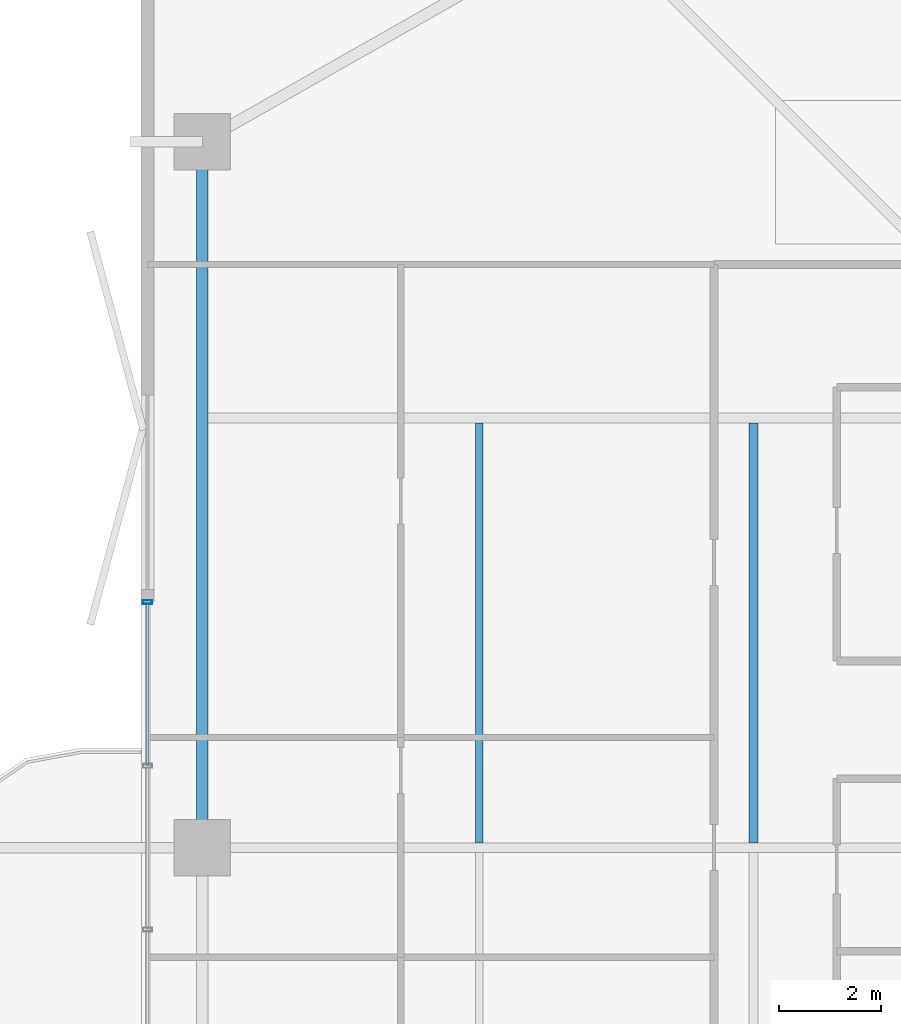
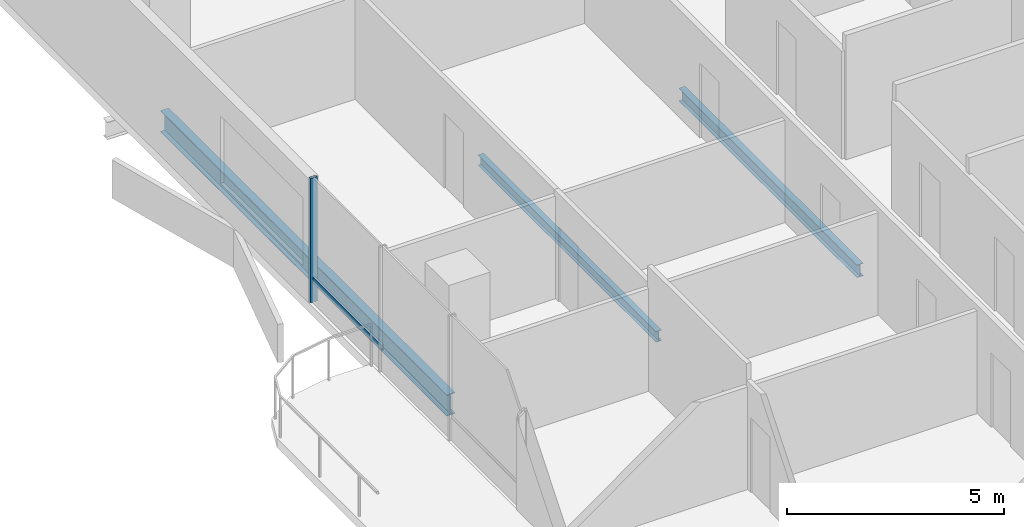
# One storey, part 9 of 24: 3 beams, 2 members, 1 element without a shape of its own.
"""IFC4 building model written with IfcOpenShell, lengths in metres."""

from ifc_helpers import new_model, si_unit, direction, frame, origin, origin_2d, place, context, subcontext, project, spatial, hollow_rectangle, i_section, extrude, material, layer, layer_set, material_profile, profile_set, type_object, element, aggregate, save


model = new_model("IFC4")

# Units and contexts
model_context = context("Model", 3, precision=1e-05, world=origin(), true_north=direction((0.0, 1.0)))
body_context = subcontext(model_context, "Body", "Model", "MODEL_VIEW")
ifc_project = project(units=[si_unit("LENGTHUNIT", "METRE"), si_unit("AREAUNIT", "SQUARE_METRE"), si_unit("VOLUMEUNIT", "CUBIC_METRE"), si_unit("PLANEANGLEUNIT", "RADIAN"), si_unit("MASSUNIT", "GRAM", prefix="KILO")], contexts=[model_context])

# Site, building, storey
site_placement = place(None, origin())
site = spatial("IfcSite", under=ifc_project, at=site_placement, CompositionType="ELEMENT")
building_placement = place(site_placement, origin())
building = spatial("IfcBuilding", under=site, at=building_placement, Name="Belovzor Exchange Tower", CompositionType="ELEMENT")
storey_placement = place(building_placement, frame((0.0, 0.0, 214.949951171875)))
storey = spatial("IfcBuildingStorey", under=building, at=storey_placement, Name="L53", CompositionType="ELEMENT", Elevation=214.949951171875)

# Beams
ifc_material_1 = material(Name="Steel S355", Category="steel")
ifc_material_profile_1 = material_profile(ifc_material_1, i_section(OverallWidth=0.169921875, OverallDepth=0.360107421875, WebThickness=0.008056640625, FlangeThickness=0.0126953125, at=origin_2d()))
ifc_profile_set_1 = profile_set([ifc_material_profile_1], Name="Steel S355")
beam_type_1 = type_object("IfcBeamType", Name="Secondary Infill Floor Joist IPE 360", PredefinedType="BEAM", material=ifc_profile_set_1)
beam_1_placement = place(storey_placement, frame((13.77197265625, 28.89501953125, -0.429931640625), z_axis=(0.0, 1.0, 0.0), x_axis=(-1.0, 0.0, 0.0)))
element("IfcBeam", 1, at=beam_1_placement, inside=storey, type_object=beam_type_1, Name="FJ-360 Secondary Infill Floor Joist IPE 360", PredefinedType="BEAM", context=body_context, shape_type="SweptSolid", body=[
    extrude(i_section(OverallWidth=0.169921875, OverallDepth=0.360107421875, WebThickness=0.008056640625, FlangeThickness=0.0126953125, at=origin_2d()), origin(), (0.0, 0.0, 1.0), 8.2099609375),
])
ifc_material_2 = material(Name="Steel S355", Category="steel")
ifc_material_profile_2 = material_profile(ifc_material_2, i_section(OverallWidth=0.14990234375, OverallDepth=0.300048828125, WebThickness=0.007080078125, FlangeThickness=0.0107421875, at=origin_2d()))
ifc_profile_set_2 = profile_set([ifc_material_profile_2], Name="Steel S355")
beam_type_2 = type_object("IfcBeamType", Name="Secondary Trim Floor Joist IPE 300", PredefinedType="BEAM", material=ifc_profile_set_2)
beam_2_placement = place(storey_placement, frame((8.4130859375, 28.89501953125, -0.39990234375), z_axis=(0.0, 1.0, 0.0), x_axis=(-1.0, 0.0, 0.0)))
element("IfcBeam", 2, at=beam_2_placement, inside=storey, type_object=beam_type_2, Name="FJ-300 Secondary Trim Floor Joist IPE 300", PredefinedType="BEAM", context=body_context, shape_type="SweptSolid", body=[
    extrude(i_section(OverallWidth=0.14990234375, OverallDepth=0.300048828125, WebThickness=0.007080078125, FlangeThickness=0.0107421875, at=origin_2d()), origin(), (0.0, 0.0, 1.0), 8.2099609375),
])

# Curtain wall, members
ifc_material_3 = material(Name="Anodised Aluminium Framing", Category="aluminium")
ifc_layer = layer(ifc_material_3, 0.179931640625)
ifc_layer_set = layer_set([ifc_layer], Name="Anodised Aluminium Framing")
curtain_wall_type = type_object("IfcCurtainWallType", Name="Recessed Loggia Low-Iron Triple-Glazed Curtain Wall", PredefinedType="NOTDEFINED", material=ifc_layer_set)
curtain_wall_placement = place(storey_placement, origin())
curtain_wall = element("IfcCurtainWall", 3, at=curtain_wall_placement, inside=storey, type_object=curtain_wall_type, Name="CW3 Recessed Loggia Low-Iron Triple-Glazed Curtain Wall L53", PredefinedType="NOTDEFINED")
ifc_material_4 = material(Name="Steel S355", Category="steel")
ifc_material_profile_3 = material_profile(ifc_material_4, hollow_rectangle(XDim=0.074951171875, YDim=0.179931640625, WallThickness=0.0048828125, at=origin_2d()))
ifc_profile_set_3 = profile_set([ifc_material_profile_3], Name="Steel S355")
member_type_1 = type_object("IfcMemberType", Name="Thermally Broken Curtain Wall Mullion 180x75", PredefinedType="MULLION", material=ifc_profile_set_3)
member_1_placement = place(storey_placement, frame((1.929931640625, 33.60009765625, 0.0), z_axis=(0.0, 0.0, 1.0), x_axis=(0.0, 1.0, 0.0)))
member_1 = element("IfcMember", 4, at=member_1_placement, type_object=member_type_1, Name="CW-M180 Curtain Wall Mullion 4", PredefinedType="MULLION", context=body_context, shape_type="SweptSolid", body=[
    extrude(hollow_rectangle(XDim=0.074951171875, YDim=0.179931640625, WallThickness=0.0048828125, at=origin_2d()), origin(), (0.0, 0.0, 1.0), 3.5),
])
ifc_material_5 = material(Name="Steel S355", Category="steel")
ifc_material_profile_4 = material_profile(ifc_material_5, hollow_rectangle(XDim=0.06005859375, YDim=0.14990234375, WallThickness=0.00390625, at=origin_2d()))
ifc_profile_set_4 = profile_set([ifc_material_profile_4], Name="Steel S355")
member_type_2 = type_object("IfcMemberType", Name="Thermally Broken Curtain Wall Transom 150x60", PredefinedType="USERDEFINED", material=ifc_profile_set_4)
member_2_placement = place(storey_placement, frame((1.929931640625, 30.407958984375, 0.630126953125), z_axis=(0.0, 1.0, 0.0), x_axis=(-1.0, 0.0, 0.0)))
member_2 = element("IfcMember", 5, at=member_2_placement, type_object=member_type_2, Name="CW-T150 Curtain Wall Transom 3", ObjectType="TRANSOM", PredefinedType="USERDEFINED", context=body_context, shape_type="SweptSolid", body=[
    extrude(hollow_rectangle(XDim=0.06005859375, YDim=0.14990234375, WallThickness=0.00390625, at=origin_2d()), origin(), (0.0, 0.0, 1.0), 3.18408203125),
])
aggregate(curtain_wall, [member_1, member_2])

# Beam
ifc_material_6 = material(Name="Steel S355", Category="steel")
ifc_material_profile_5 = material_profile(ifc_material_6, i_section(OverallWidth=0.219970703125, OverallDepth=0.60009765625, WebThickness=0.011962890625, FlangeThickness=0.01904296875, at=origin_2d()))
ifc_profile_set_5 = profile_set([ifc_material_profile_5], Name="Steel S355")
beam_type_3 = type_object("IfcBeamType", Name="Zone 4 Flare Primary Girder IPE 600", PredefinedType="BEAM", material=ifc_profile_set_5)
beam_3_placement = place(storey_placement, frame((3.0, 42.297119140625, -0.550048828125), z_axis=(0.0, -1.0, 0.0), x_axis=(1.0, 0.0, 0.0)))
element("IfcBeam", 6, at=beam_3_placement, inside=storey, type_object=beam_type_3, Name="FG-Z4 Zone 4 Flare Primary Girder IPE 600", PredefinedType="BEAM", context=body_context, shape_type="SweptSolid", body=[
    extrude(i_section(OverallWidth=0.219970703125, OverallDepth=0.60009765625, WebThickness=0.011962890625, FlangeThickness=0.01904296875, at=origin_2d()), origin(), (0.0, 0.0, 1.0), 13.195068359375),
])

save(model, "model.ifc")
